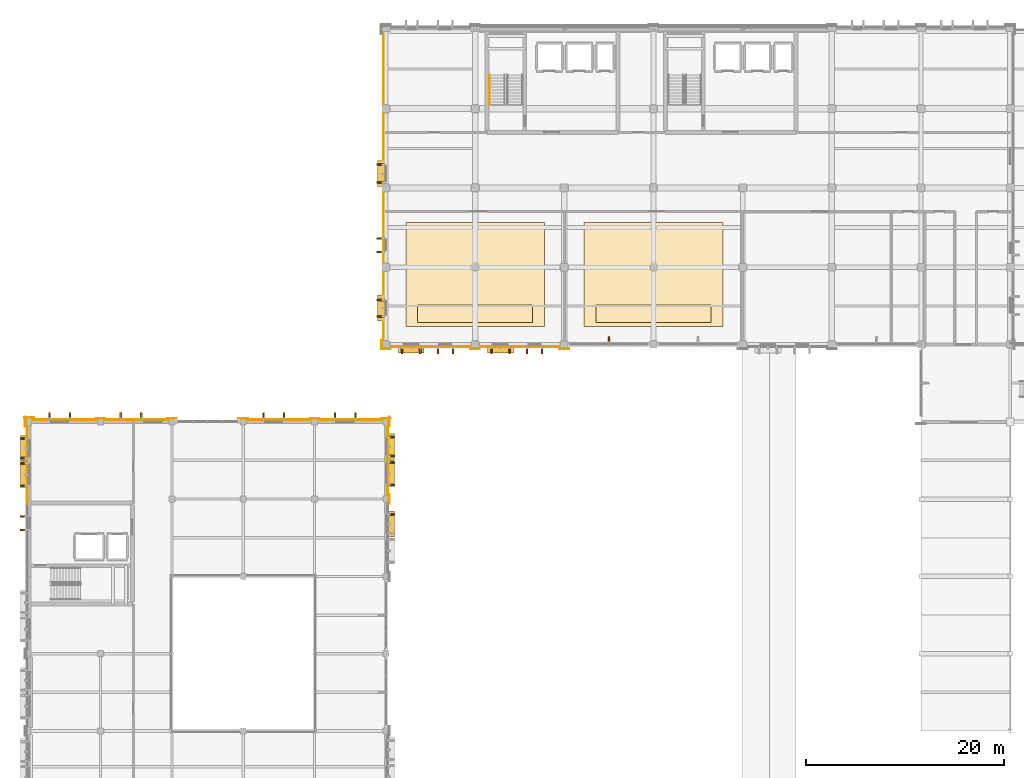
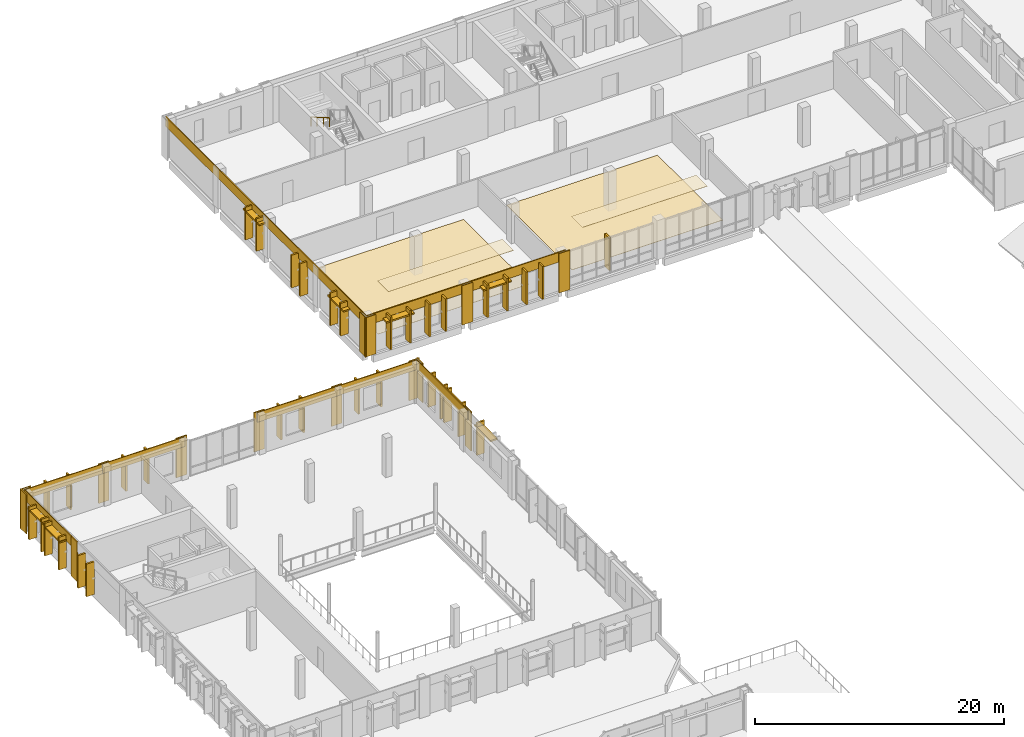
# One storey, part 58 of 64: 43 shading devices, 27 coverings, 1 railing.
"""IFC4 building model written with IfcOpenShell, lengths in metres."""

from ifc_helpers import new_model, si_unit, direction, frame, origin, origin_2d, place, context, subcontext, project, spatial, polyline, rectangle, circle, outline, extrude, material, layer, layer_set, type_object, element, save


model = new_model("IFC4")

# Units and contexts
model_context = context("Model", 3, precision=1e-05, world=origin(), true_north=direction((0.0, 1.0)))
body_context = subcontext(model_context, "Body", "Model", "MODEL_VIEW")
ifc_project = project(units=[si_unit("LENGTHUNIT", "METRE"), si_unit("AREAUNIT", "SQUARE_METRE"), si_unit("VOLUMEUNIT", "CUBIC_METRE"), si_unit("PLANEANGLEUNIT", "RADIAN"), si_unit("MASSUNIT", "GRAM", prefix="KILO")], contexts=[model_context])

# Site, building, storey
site_placement = place(None, origin())
site = spatial("IfcSite", under=ifc_project, at=site_placement, CompositionType="ELEMENT")
building_placement = place(site_placement, origin())
building = spatial("IfcBuilding", under=site, at=building_placement, Name="Vervanel Yard Central Library", CompositionType="ELEMENT")
storey_placement = place(building_placement, frame((0.0, 0.0, 8.93994140625)))
storey = spatial("IfcBuildingStorey", under=building, at=storey_placement, Name="L02", CompositionType="ELEMENT", Elevation=8.93994140625)

# Railing
ifc_material_1 = material(Name="Brushed stainless steel AISI 316", Category="steel")
railing_type = type_object("IfcRailingType", Name="Brushed Stainless Stair Handrail 900", PredefinedType="HANDRAIL", material=ifc_material_1)
railing_placement = place(storey_placement, frame((46.43994140625, 109.39990234375, 2.094482421875)))
element("IfcRailing", 1, at=railing_placement, inside=storey, type_object=railing_type, Name="L02 ST-01 stair handrail 2", PredefinedType="HANDRAIL", context=body_context, shape_type="SweptSolid", body=[
    extrude(circle(Radius=0.02392578125, at=origin_2d()), frame((0.0, 0.0, 0.8759765625), z_axis=(0.0, -0.864329436341, 0.502926063626), x_axis=(1.0, 0.0, 0.0)), (0.0, 0.0, 1.0), 3.470947265625),
    extrude(circle(Radius=0.02099609375, at=origin_2d()), origin(), (0.0, 0.0, 1.0), 0.851806640625),
    extrude(circle(Radius=0.02099609375, at=origin_2d()), frame((0.0, -1.0, 0.581787109375)), (0.0, 0.0, 1.0), 0.851806640625),
    extrude(circle(Radius=0.02099609375, at=origin_2d()), frame((0.0, -2.0, 1.163818359375)), (0.0, 0.0, 1.0), 0.851806640625),
    extrude(circle(Radius=0.02099609375, at=origin_2d()), frame((0.0, -3.0, 1.74560546875)), (0.0, 0.0, 1.0), 0.851806640625),
])

# Coverings
ifc_material_2 = material(Name="Precast concrete C45/55", Category="concrete")
ifc_layer_1 = layer(ifc_material_2, 0.0849609375, Category="concrete")
ifc_layer_set_1 = layer_set([ifc_layer_1], Name="Precast concrete C45/55")
covering_type_1 = type_object("IfcCoveringType", Name="Bush-Hammered Precast Architectural Cladding Panel", PredefinedType="CLADDING", material=ifc_layer_set_1)
covering_1_placement = place(storey_placement, frame((40.5, 81.9599609375, 2.91015625), z_axis=(0.0, 0.0, 1.0), x_axis=(1.0, 0.0, 0.0)))
element("IfcCovering", 2, at=covering_1_placement, inside=storey, type_object=covering_type_1, Name="L02 Precast Concrete Spandrel Cornice EWALL-L02-0039", PredefinedType="CLADDING", context=body_context, shape_type="SweptSolid", body=[
    extrude(rectangle(XDim=9.449951171875, YDim=0.0849609375, at=origin_2d()), origin(), (0.0, 0.0, 1.0), 0.949951171875),
])
for number, where, z_axis, x_axis, name in (
    (3, (36.0, 81.782470703125, 0.0), (0.0, 0.0, 1.0), (1.0, 0.0, 0.0), "L02 Precast Concrete Pier Pilaster EWALL-L02-0039-A"),
    (4, (45.0, 81.782470703125, 0.0), (0.0, 0.0, 1.0), (1.0, 0.0, 0.0), "L02 Precast Concrete Pier Pilaster EWALL-L02-0039-B"),
):
    element("IfcCovering", number, at=place(storey_placement, frame(where, z_axis=z_axis, x_axis=x_axis)), inside=storey, type_object=covering_type_1, Name=name, PredefinedType="CLADDING", context=body_context, shape_type="SweptSolid", body=[
        extrude(rectangle(XDim=0.97998046875, YDim=0.0849609375, at=origin_2d()), origin(), (0.0, 0.0, 1.0), 3.860107421875),
    ])
covering_2_placement = place(storey_placement, frame((49.5, 81.9599609375, 2.91015625), z_axis=(0.0, 0.0, 1.0), x_axis=(1.0, 0.0, 0.0)))
element("IfcCovering", 5, at=covering_2_placement, inside=storey, type_object=covering_type_1, Name="L02 Precast Concrete Spandrel Cornice EWALL-L02-0040", PredefinedType="CLADDING", context=body_context, shape_type="SweptSolid", body=[
    extrude(rectangle(XDim=9.449951171875, YDim=0.0849609375, at=origin_2d()), origin(), (0.0, 0.0, 1.0), 0.949951171875),
])
covering_3_placement = place(storey_placement, frame((54.0, 81.782470703125, 0.0), z_axis=(0.0, 0.0, 1.0), x_axis=(1.0, 0.0, 0.0)))
element("IfcCovering", 6, at=covering_3_placement, inside=storey, type_object=covering_type_1, Name="L02 Precast Concrete Pier Pilaster EWALL-L02-0040-B", PredefinedType="CLADDING", context=body_context, shape_type="SweptSolid", body=[
    extrude(rectangle(XDim=0.97998046875, YDim=0.0849609375, at=origin_2d()), origin(), (0.0, 0.0, 1.0), 3.860107421875),
])
covering_4_placement = place(storey_placement, frame((35.760009765625, 98.10009765625, 2.91015625), z_axis=(0.0, 0.0, 1.0), x_axis=(0.0, 1.0, 0.0)))
element("IfcCovering", 7, at=covering_4_placement, inside=storey, type_object=covering_type_1, Name="L02 Precast Concrete Spandrel Cornice EWALL-L02-0042", PredefinedType="CLADDING", context=body_context, shape_type="SweptSolid", body=[
    extrude(rectangle(XDim=32.25, YDim=0.0849609375, at=origin_2d()), origin(), (0.0, 0.0, 1.0), 0.949951171875),
])
for number, where, z_axis, x_axis, name in (
    (8, (35.58251953125, 82.199951171875, 0.0), (0.0, 0.0, 1.0), (0.0, 1.0, 0.0), "L02 Precast Concrete Pier Pilaster EWALL-L02-0042-A"),
    (9, (-0.21240234375, 66.60009765625, 0.0), (0.0, 0.0, 1.0), (0.0, 1.0, 0.0), "L02 Precast Concrete Pier Pilaster EWALL-L02-0115-B"),
):
    element("IfcCovering", number, at=place(storey_placement, frame(where, z_axis=z_axis, x_axis=x_axis)), inside=storey, type_object=covering_type_1, Name=name, PredefinedType="CLADDING", context=body_context, shape_type="SweptSolid", body=[
        extrude(rectangle(XDim=0.97998046875, YDim=0.0849609375, at=origin_2d()), origin(), (0.0, 0.0, 1.0), 3.860107421875),
    ])
covering_5_placement = place(storey_placement, frame((-0.2099609375, 70.5, 2.91015625), z_axis=(0.0, 0.0, 1.0), x_axis=(0.0, 1.0, 0.0)))
element("IfcCovering", 10, at=covering_5_placement, inside=storey, type_object=covering_type_1, Name="L02 Precast Concrete Spandrel Cornice EWALL-L02-0116", PredefinedType="CLADDING", context=body_context, shape_type="SweptSolid", body=[
    extrude(rectangle(XDim=8.25, YDim=0.0849609375, at=origin_2d()), origin(), (0.0, 0.0, 1.0), 0.949951171875),
])
for number, where, z_axis, x_axis, name in (
    (11, (-0.4326171875, 74.39990234375, 0.0), (0.0, 0.0, 1.0), (0.0, 1.0, 0.0), "L02 Precast Concrete Pier Pilaster EWALL-L02-0116-B"),
    (12, (36.342529296875, 66.60009765625, 0.0), (0.0, 0.0, 1.0), (0.0, 1.0, 0.0), "L02 Precast Concrete Pier Pilaster EWALL-L02-0118-B"),
):
    element("IfcCovering", number, at=place(storey_placement, frame(where, z_axis=z_axis, x_axis=x_axis)), inside=storey, type_object=covering_type_1, Name=name, PredefinedType="CLADDING", context=body_context, shape_type="SweptSolid", body=[
        extrude(rectangle(XDim=0.97998046875, YDim=0.0849609375, at=origin_2d()), origin(), (0.0, 0.0, 1.0), 3.860107421875),
    ])
covering_6_placement = place(storey_placement, frame((36.18994140625, 70.5, 2.91015625), z_axis=(0.0, 0.0, 1.0), x_axis=(0.0, 1.0, 0.0)))
element("IfcCovering", 13, at=covering_6_placement, inside=storey, type_object=covering_type_1, Name="L02 Precast Concrete Spandrel Cornice EWALL-L02-0119", PredefinedType="CLADDING", context=body_context, shape_type="SweptSolid", body=[
    extrude(rectangle(XDim=8.25, YDim=0.0849609375, at=origin_2d()), origin(), (0.0, 0.0, 1.0), 0.949951171875),
])
covering_7_placement = place(storey_placement, frame((36.342529296875, 74.39990234375, 0.0), z_axis=(0.0, 0.0, 1.0), x_axis=(0.0, 1.0, 0.0)))
element("IfcCovering", 14, at=covering_7_placement, inside=storey, type_object=covering_type_1, Name="L02 Precast Concrete Pier Pilaster EWALL-L02-0119-B", PredefinedType="CLADDING", context=body_context, shape_type="SweptSolid", body=[
    extrude(rectangle(XDim=0.97998046875, YDim=0.0849609375, at=origin_2d()), origin(), (0.0, 0.0, 1.0), 3.860107421875),
])
covering_8_placement = place(storey_placement, frame((3.60009765625, 74.610107421875, 2.91015625), z_axis=(0.0, 0.0, 1.0), x_axis=(1.0, 0.0, 0.0)))
element("IfcCovering", 15, at=covering_8_placement, inside=storey, type_object=covering_type_1, Name="L02 Precast Concrete Spandrel Cornice EWALL-L02-0120", PredefinedType="CLADDING", context=body_context, shape_type="SweptSolid", body=[
    extrude(rectangle(XDim=7.64990234375, YDim=0.0849609375, at=origin_2d()), origin(), (0.0, 0.0, 1.0), 0.949951171875),
])
for number, where, z_axis, x_axis, name in (
    (16, (0.0, 74.83251953125, 0.0), (0.0, 0.0, 1.0), (1.0, 0.0, 0.0), "L02 Precast Concrete Pier Pilaster EWALL-L02-0120-A"),
    (17, (7.199951171875, 74.742431640625, 0.0), (0.0, 0.0, 1.0), (1.0, 0.0, 0.0), "L02 Precast Concrete Pier Pilaster EWALL-L02-0120-B"),
):
    element("IfcCovering", number, at=place(storey_placement, frame(where, z_axis=z_axis, x_axis=x_axis)), inside=storey, type_object=covering_type_1, Name=name, PredefinedType="CLADDING", context=body_context, shape_type="SweptSolid", body=[
        extrude(rectangle(XDim=0.97998046875, YDim=0.0849609375, at=origin_2d()), origin(), (0.0, 0.0, 1.0), 3.860107421875),
    ])
covering_9_placement = place(storey_placement, frame((10.800048828125, 74.610107421875, 2.91015625), z_axis=(0.0, 0.0, 1.0), x_axis=(1.0, 0.0, 0.0)))
element("IfcCovering", 18, at=covering_9_placement, inside=storey, type_object=covering_type_1, Name="L02 Precast Concrete Spandrel Cornice EWALL-L02-0122", PredefinedType="CLADDING", context=body_context, shape_type="SweptSolid", body=[
    extrude(rectangle(XDim=7.64990234375, YDim=0.0849609375, at=origin_2d()), origin(), (0.0, 0.0, 1.0), 0.949951171875),
])
covering_10_placement = place(storey_placement, frame((14.39990234375, 74.742431640625, 0.0), z_axis=(0.0, 0.0, 1.0), x_axis=(1.0, 0.0, 0.0)))
element("IfcCovering", 19, at=covering_10_placement, inside=storey, type_object=covering_type_1, Name="L02 Precast Concrete Pier Pilaster EWALL-L02-0122-B", PredefinedType="CLADDING", context=body_context, shape_type="SweptSolid", body=[
    extrude(rectangle(XDim=0.97998046875, YDim=0.0849609375, at=origin_2d()), origin(), (0.0, 0.0, 1.0), 3.860107421875),
])
covering_11_placement = place(storey_placement, frame((25.199951171875, 74.610107421875, 2.91015625), z_axis=(0.0, 0.0, 1.0), x_axis=(1.0, 0.0, 0.0)))
element("IfcCovering", 20, at=covering_11_placement, inside=storey, type_object=covering_type_1, Name="L02 Precast Concrete Spandrel Cornice EWALL-L02-0125", PredefinedType="CLADDING", context=body_context, shape_type="SweptSolid", body=[
    extrude(rectangle(XDim=7.64990234375, YDim=0.0849609375, at=origin_2d()), origin(), (0.0, 0.0, 1.0), 0.949951171875),
])
for number, where, z_axis, x_axis, name in (
    (21, (21.60009765625, 74.742431640625, 0.0), (0.0, 0.0, 1.0), (1.0, 0.0, 0.0), "L02 Precast Concrete Pier Pilaster EWALL-L02-0125-A"),
    (22, (28.800048828125, 74.742431640625, 0.0), (0.0, 0.0, 1.0), (1.0, 0.0, 0.0), "L02 Precast Concrete Pier Pilaster EWALL-L02-0125-B"),
):
    element("IfcCovering", number, at=place(storey_placement, frame(where, z_axis=z_axis, x_axis=x_axis)), inside=storey, type_object=covering_type_1, Name=name, PredefinedType="CLADDING", context=body_context, shape_type="SweptSolid", body=[
        extrude(rectangle(XDim=0.97998046875, YDim=0.0849609375, at=origin_2d()), origin(), (0.0, 0.0, 1.0), 3.860107421875),
    ])
covering_12_placement = place(storey_placement, frame((32.39990234375, 74.610107421875, 2.91015625), z_axis=(0.0, 0.0, 1.0), x_axis=(1.0, 0.0, 0.0)))
element("IfcCovering", 23, at=covering_12_placement, inside=storey, type_object=covering_type_1, Name="L02 Precast Concrete Spandrel Cornice EWALL-L02-0127", PredefinedType="CLADDING", context=body_context, shape_type="SweptSolid", body=[
    extrude(rectangle(XDim=7.64990234375, YDim=0.0849609375, at=origin_2d()), origin(), (0.0, 0.0, 1.0), 0.949951171875),
])
covering_13_placement = place(storey_placement, frame((36.0, 74.742431640625, 0.0), z_axis=(0.0, 0.0, 1.0), x_axis=(1.0, 0.0, 0.0)))
element("IfcCovering", 24, at=covering_13_placement, inside=storey, type_object=covering_type_1, Name="L02 Precast Concrete Pier Pilaster EWALL-L02-0127-B", PredefinedType="CLADDING", context=body_context, shape_type="SweptSolid", body=[
    extrude(rectangle(XDim=0.97998046875, YDim=0.0849609375, at=origin_2d()), origin(), (0.0, 0.0, 1.0), 3.860107421875),
])

# Shading devices
shading_device_type_1 = type_object("IfcShadingDeviceType", Name="Horizontal Precast Brise-Soleil Sunhood 2600x680x140", PredefinedType="JALOUSIE", material=ifc_material_2)
for number, where, z_axis, x_axis, name in (
    (25, (38.550048828125, 81.659912109375, 2.97998046875), (0.0, 0.0, 1.0), (1.0, 0.0, 0.0), "L02 Precast Horizontal Sunhood 12"),
    (26, (47.550048828125, 81.659912109375, 2.97998046875), (0.0, 0.0, 1.0), (1.0, 0.0, 0.0), "L02 Precast Horizontal Sunhood 13"),
    (27, (35.47998046875, 85.875, 2.830078125), (0.0, 0.0, 1.0), (0.0, 1.0, 0.0), "L02 Precast Horizontal Sunhood 15"),
    (28, (35.47998046875, 99.449951171875, 3.080078125), (0.0, 0.0, 1.0), (0.0, 1.0, 0.0), "L02 Precast Horizontal Sunhood 16"),
    (29, (-0.5400390625, 69.074951171875, 2.97998046875), (0.0, 0.0, 1.0), (0.0, 1.0, 0.0), "L02 Precast Horizontal Sunhood 60"),
    (30, (-0.5400390625, 71.72509765625, 3.1298828125), (0.0, 0.0, 1.0), (0.0, 1.0, 0.0), "L02 Precast Horizontal Sunhood 61"),
    (31, (36.52001953125, 64.10009765625, 2.93017578125), (0.0, 0.0, 1.0), (0.0, 1.0, 0.0), "L02 Precast Horizontal Sunhood 65"),
    (32, (36.52001953125, 69.175048828125, 2.97998046875), (0.0, 0.0, 1.0), (0.0, 1.0, 0.0), "L02 Precast Horizontal Sunhood 66"),
    (33, (36.52001953125, 71.89990234375, 2.93017578125), (0.0, 0.0, 1.0), (0.0, 1.0, 0.0), "L02 Precast Horizontal Sunhood 67"),
):
    element("IfcShadingDevice", number, at=place(storey_placement, frame(where, z_axis=z_axis, x_axis=x_axis)), inside=storey, type_object=shading_device_type_1, Name=name, PredefinedType="JALOUSIE", context=body_context, shape_type="SweptSolid", body=[
        extrude(rectangle(XDim=2.60009765625, YDim=0.679931640625, at=origin_2d()), origin(), (0.0, 0.0, 1.0), 0.139892578125),
    ])

# Coverings
ifc_material_3 = material(Name="Polished river-stone terrazzo flooring", Category="masonry")
ifc_layer_2 = layer(ifc_material_3, 0.02490234375, Category="masonry")
ifc_layer_set_2 = layer_set([ifc_layer_2], Name="Polished river-stone terrazzo flooring")
covering_type_2 = type_object("IfcCoveringType", Name="Polished River-Stone Terrazzo Flooring 25", PredefinedType="FLOORING", material=ifc_layer_set_2)
covering_14_placement = place(storey_placement, origin())
element("IfcCovering", 34, at=covering_14_placement, inside=storey, type_object=covering_type_2, Name="L02 Terrazzo Flooring Bay 10", PredefinedType="FLOORING", context=body_context, shape_type="SweptSolid", body=[
    extrude(outline(polyline([(38.0, 84.0), (52.0, 84.0), (52.0, 94.5), (38.0, 94.5), (38.0, 84.0)])), origin(), (0.0, 0.0, 1.0), 0.025146484375),
])
covering_15_placement = place(storey_placement, origin())
element("IfcCovering", 35, at=covering_15_placement, inside=storey, type_object=covering_type_2, Name="L02 Terrazzo Flooring Bay 11", PredefinedType="FLOORING", context=body_context, shape_type="SweptSolid", body=[
    extrude(outline(polyline([(56.0, 84.0), (70.0, 84.0), (70.0, 94.5), (56.0, 94.5), (56.0, 84.0)])), origin(), (0.0, 0.0, 1.0), 0.025146484375),
])
ifc_material_4 = material(Name="Perforated mineral-fibre acoustic ceiling", Category="gypsum")
ifc_layer_3 = layer(ifc_material_4, 0.034912109375, Category="gypsum")
ifc_layer_set_3 = layer_set([ifc_layer_3], Name="Perforated mineral-fibre acoustic ceiling")
covering_type_3 = type_object("IfcCoveringType", Name="Suspended Mineral Acoustic Ceiling 35", PredefinedType="CEILING", material=ifc_layer_set_3)
covering_16_placement = place(storey_placement, frame((0.0, 0.0, 3.4951171875)))
element("IfcCovering", 36, at=covering_16_placement, inside=storey, type_object=covering_type_3, Name="L02 Acoustic Ceiling Bay 10", PredefinedType="CEILING", context=body_context, shape_type="SweptSolid", body=[
    extrude(outline(polyline([(39.199951171875, 84.39990234375), (50.800048828125, 84.39990234375), (50.800048828125, 86.199951171875), (39.199951171875, 86.199951171875), (39.199951171875, 84.39990234375)])), origin(), (0.0, 0.0, 1.0), 0.034912109375),
])
covering_17_placement = place(storey_placement, frame((0.0, 0.0, 3.4951171875)))
element("IfcCovering", 37, at=covering_17_placement, inside=storey, type_object=covering_type_3, Name="L02 Acoustic Ceiling Bay 11", PredefinedType="CEILING", context=body_context, shape_type="SweptSolid", body=[
    extrude(outline(polyline([(57.199951171875, 84.39990234375), (68.800048828125, 84.39990234375), (68.800048828125, 86.199951171875), (57.199951171875, 86.199951171875), (57.199951171875, 84.39990234375)])), origin(), (0.0, 0.0, 1.0), 0.034912109375),
])

# Shading devices
shading_device_type_2 = type_object("IfcShadingDeviceType", Name="Vertical Precast Solar Fin 160x720x3200", PredefinedType="JALOUSIE", material=ifc_material_2)
for number, where, z_axis, x_axis, name in (
    (38, (37.639892578125, 81.6298828125, 0.30029296875), (0.0, 0.0, 1.0), (1.0, 0.0, 0.0), "L02 Precast Solar Fin 104"),
    (39, (39.4599609375, 81.6298828125, 0.30029296875), (0.0, 0.0, 1.0), (1.0, 0.0, 0.0), "L02 Precast Solar Fin 105"),
    (40, (41.239990234375, 81.6298828125, 0.30029296875), (0.0, 0.0, 1.0), (1.0, 0.0, 0.0), "L02 Precast Solar Fin 106"),
    (41, (42.760009765625, 81.6298828125, 0.30029296875), (0.0, 0.0, 1.0), (1.0, 0.0, 0.0), "L02 Precast Solar Fin 107"),
    (42, (46.639892578125, 81.6298828125, 0.30029296875), (0.0, 0.0, 1.0), (1.0, 0.0, 0.0), "L02 Precast Solar Fin 108"),
    (43, (48.4599609375, 81.6298828125, 0.30029296875), (0.0, 0.0, 1.0), (1.0, 0.0, 0.0), "L02 Precast Solar Fin 109"),
    (44, (50.239990234375, 81.6298828125, 0.30029296875), (0.0, 0.0, 1.0), (1.0, 0.0, 0.0), "L02 Precast Solar Fin 110"),
    (45, (51.760009765625, 81.6298828125, 0.30029296875), (0.0, 0.0, 1.0), (1.0, 0.0, 0.0), "L02 Precast Solar Fin 111"),
    (46, (58.5, 82.610107421875, 0.1552734375), (0.0, 0.0, 1.0), (1.0, 0.0, 0.0), "L02 Precast Solar Fin 112"),
    (47, (35.449951171875, 85.0400390625, 0.27490234375), (0.0, 0.0, 1.0), (0.0, 1.0, 0.0), "L02 Precast Solar Fin 119"),
    (48, (35.449951171875, 86.7099609375, 0.27490234375), (0.0, 0.0, 1.0), (0.0, 1.0, 0.0), "L02 Precast Solar Fin 120"),
    (49, (35.449951171875, 91.5400390625, 0.22509765625), (0.0, 0.0, 1.0), (0.0, 1.0, 0.0), "L02 Precast Solar Fin 121"),
    (50, (35.449951171875, 92.909912109375, 0.22509765625), (0.0, 0.0, 1.0), (0.0, 1.0, 0.0), "L02 Precast Solar Fin 122"),
    (51, (35.449951171875, 98.5400390625, 0.39990234375), (0.0, 0.0, 1.0), (0.0, 1.0, 0.0), "L02 Precast Solar Fin 123"),
    (52, (35.449951171875, 100.360107421875, 0.39990234375), (0.0, 0.0, 1.0), (0.0, 1.0, 0.0), "L02 Precast Solar Fin 124"),
    (53, (-0.570068359375, 63.489990234375, 0.375), (0.0, 0.0, 1.0), (0.0, 1.0, 0.0), "L02 Precast Solar Fin 319"),
    (54, (-0.570068359375, 64.860107421875, 0.375), (0.0, 0.0, 1.0), (0.0, 1.0, 0.0), "L02 Precast Solar Fin 320"),
    (55, (-0.570068359375, 67.93994140625, 0.30029296875), (0.0, 0.0, 1.0), (0.0, 1.0, 0.0), "L02 Precast Solar Fin 321"),
    (56, (-0.570068359375, 70.2099609375, 0.30029296875), (0.0, 0.0, 1.0), (0.0, 1.0, 0.0), "L02 Precast Solar Fin 322"),
    (57, (-0.570068359375, 70.739990234375, 0.375), (0.0, 0.0, 1.0), (0.0, 1.0, 0.0), "L02 Precast Solar Fin 323"),
    (58, (-0.570068359375, 72.7099609375, 0.375), (0.0, 0.0, 1.0), (0.0, 1.0, 0.0), "L02 Precast Solar Fin 324"),
    (59, (36.550048828125, 65.06005859375, 0.27490234375), (0.0, 0.0, 1.0), (0.0, 1.0, 0.0), "L02 Precast Solar Fin 334"),
    (60, (36.550048828125, 68.0400390625, 0.30029296875), (0.0, 0.0, 1.0), (0.0, 1.0, 0.0), "L02 Precast Solar Fin 335"),
    (61, (36.550048828125, 70.31005859375, 0.30029296875), (0.0, 0.0, 1.0), (0.0, 1.0, 0.0), "L02 Precast Solar Fin 336"),
    (62, (36.550048828125, 70.93994140625, 0.27490234375), (0.0, 0.0, 1.0), (0.0, 1.0, 0.0), "L02 Precast Solar Fin 337"),
    (63, (36.550048828125, 72.860107421875, 0.27490234375), (0.0, 0.0, 1.0), (0.0, 1.0, 0.0), "L02 Precast Solar Fin 338"),
    (64, (2.0400390625, 74.969970703125, 0.375), (0.0, 0.0, 1.0), (1.0, 0.0, 0.0), "L02 Precast Solar Fin 339"),
    (65, (4.110107421875, 74.969970703125, 0.375), (0.0, 0.0, 1.0), (1.0, 0.0, 0.0), "L02 Precast Solar Fin 340"),
    (66, (9.239990234375, 74.969970703125, 0.375), (0.0, 0.0, 1.0), (1.0, 0.0, 0.0), "L02 Precast Solar Fin 343"),
    (67, (11.31005859375, 74.969970703125, 0.375), (0.0, 0.0, 1.0), (1.0, 0.0, 0.0), "L02 Precast Solar Fin 344"),
    (68, (23.639892578125, 74.969970703125, 0.375), (0.0, 0.0, 1.0), (1.0, 0.0, 0.0), "L02 Precast Solar Fin 349"),
    (69, (25.7099609375, 74.969970703125, 0.375), (0.0, 0.0, 1.0), (1.0, 0.0, 0.0), "L02 Precast Solar Fin 350"),
    (70, (30.840087890625, 74.969970703125, 0.375), (0.0, 0.0, 1.0), (1.0, 0.0, 0.0), "L02 Precast Solar Fin 353"),
    (71, (32.909912109375, 74.969970703125, 0.375), (0.0, 0.0, 1.0), (1.0, 0.0, 0.0), "L02 Precast Solar Fin 354"),
):
    element("IfcShadingDevice", number, at=place(storey_placement, frame(where, z_axis=z_axis, x_axis=x_axis)), inside=storey, type_object=shading_device_type_2, Name=name, PredefinedType="JALOUSIE", context=body_context, shape_type="SweptSolid", body=[
        extrude(rectangle(XDim=0.159912109375, YDim=0.719970703125, at=origin_2d()), origin(), (0.0, 0.0, 1.0), 3.199951171875),
    ])

save(model, "model.ifc")
